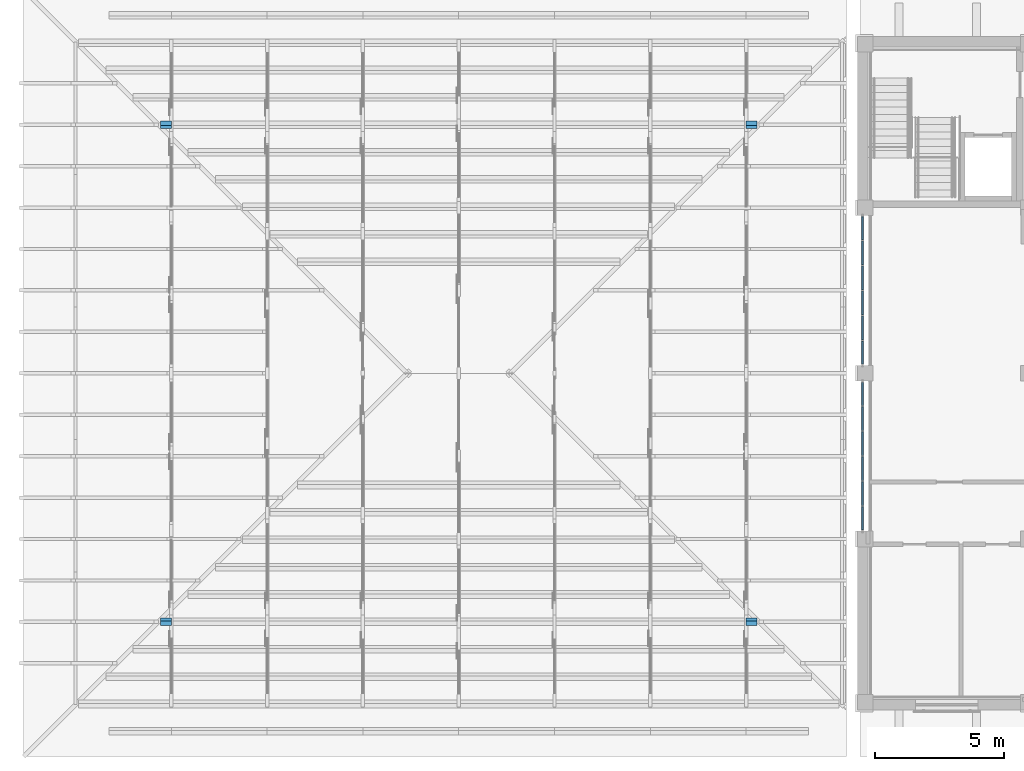
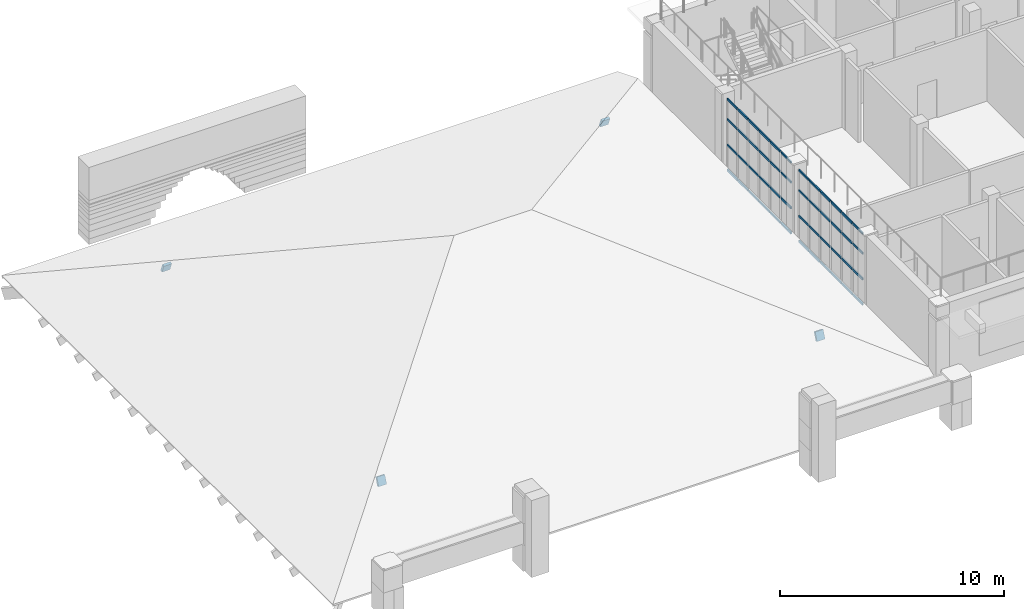
# One storey, part 16 of 68: 52 members, 2 elements without a shape of their own.
"""IFC4 building model written with IfcOpenShell, lengths in metres."""

from ifc_helpers import new_model, si_unit, direction, frame, origin, origin_2d, place, context, subcontext, project, spatial, rectangle, extrude, material, layer, layer_set, material_profile, profile_set, type_object, element, aggregate, save


model = new_model("IFC4")

# Units and contexts
model_context = context("Model", 3, precision=1e-05, world=origin(), true_north=direction((0.0, 1.0)))
body_context = subcontext(model_context, "Body", "Model", "MODEL_VIEW")
ifc_project = project(units=[si_unit("LENGTHUNIT", "METRE"), si_unit("AREAUNIT", "SQUARE_METRE"), si_unit("VOLUMEUNIT", "CUBIC_METRE"), si_unit("PLANEANGLEUNIT", "RADIAN"), si_unit("MASSUNIT", "GRAM", prefix="KILO")], contexts=[model_context])

# Site, building, storey
site_placement = place(None, origin())
site = spatial("IfcSite", under=ifc_project, at=site_placement, CompositionType="ELEMENT")
building_placement = place(site_placement, origin())
building = spatial("IfcBuilding", under=site, at=building_placement, Name="Wasatch Bagh Community Centre", CompositionType="ELEMENT")
storey_placement = place(building_placement, frame((0.0, 0.0, 8.39990234375)))
storey = spatial("IfcBuildingStorey", under=building, at=storey_placement, Name="L02", CompositionType="ELEMENT", Elevation=8.39990234375)

# Members
ifc_material_1 = material(Name="Glulam 24F-V4 Douglas fir-larch", Category="wood")
ifc_material_profile_1 = material_profile(ifc_material_1, rectangle(XDim=0.130126953125, YDim=0.457275390625, at=origin_2d()), Name="GL 130x457")
ifc_profile_set_1 = profile_set([ifc_material_profile_1], Name="Glulam 24F-V4 Douglas fir-larch")
member_type_1 = type_object("IfcMemberType", Name="DH GL 130x457 purlin", PredefinedType="PURLIN", material=ifc_profile_set_1)
for number, where, z_axis, x_axis, name in (
    (1, (69.485595703125, 9.400146484375, 1.996826171875), (1.0, 0.0, 0.0), (0.0, 0.927183854567, -0.374606593416), "DH.PUR.S06.1"),
    (2, (92.10009765625, 9.400146484375, 1.996826171875), (1.0, 0.0, 0.0), (0.0, 0.927183854567, -0.374606593416), "DH.PUR.S06.8"),
    (3, (69.485595703125, 28.599853515625, 1.996826171875), (1.0, 0.0, 0.0), (0.0, 0.927183854567, 0.374606593416), "DH.PUR.N06.1"),
    (4, (92.10009765625, 28.599853515625, 1.996826171875), (1.0, 0.0, 0.0), (0.0, 0.927183854567, 0.374606593416), "DH.PUR.N06.8"),
):
    element("IfcMember", number, at=place(storey_placement, frame(where, z_axis=z_axis, x_axis=x_axis)), inside=storey, type_object=member_type_1, Name=name, PredefinedType="PURLIN", context=body_context, shape_type="SweptSolid", body=[
        extrude(rectangle(XDim=0.130126953125, YDim=0.457275390625, at=origin_2d()), origin(), (0.0, 0.0, 1.0), 0.414306640625),
    ])

# Curtain wall, members
ifc_material_2 = material(Name="Aluminium alloy 6063-T6", Category="aluminium")
ifc_layer = layer(ifc_material_2, 0.10009765625)
ifc_layer_set = layer_set([ifc_layer], Name="Aluminium alloy 6063-T6")
curtain_wall_type = type_object("IfcCurtainWallType", Name="KW-CW1", PredefinedType="NOTDEFINED", material=ifc_layer_set)
curtain_wall_1_placement = place(storey_placement, origin())
curtain_wall_1 = element("IfcCurtainWall", 5, at=curtain_wall_1_placement, inside=storey, type_object=curtain_wall_type, Name="Curtain wall KW-CW1", PredefinedType="NOTDEFINED")
ifc_material_profile_2 = material_profile(ifc_material_2, rectangle(XDim=0.06005859375, YDim=0.1201171875, at=origin_2d()), Name="AL 60x120")
ifc_profile_set_2 = profile_set([ifc_material_profile_2], Name="Aluminium alloy 6063-T6")
member_type_2 = type_object("IfcMemberType", Name="KW-CW1 transom", PredefinedType="USERDEFINED", material=ifc_profile_set_2)
member_1_placement = place(storey_placement, frame((96.60009765625, 12.9599609375, 0.030029296875), z_axis=(0.0, 1.0, 0.0), x_axis=(-1.0, 0.0, 0.0)))
member_1 = element("IfcMember", 6, at=member_1_placement, type_object=member_type_2, Name="KW-CW1 transom 1.1", ObjectType="TRANSOM", PredefinedType="USERDEFINED", context=body_context, shape_type="SweptSolid", body=[
    extrude(rectangle(XDim=0.06005859375, YDim=0.1201171875, at=origin_2d()), origin(), (0.0, 0.0, 1.0), 0.876708984375),
])
member_2_placement = place(storey_placement, frame((96.60009765625, 12.9599609375, 1.400146484375), z_axis=(0.0, 1.0, 0.0), x_axis=(-1.0, 0.0, 0.0)))
member_2 = element("IfcMember", 7, at=member_2_placement, type_object=member_type_2, Name="KW-CW1 transom 1.2", ObjectType="TRANSOM", PredefinedType="USERDEFINED", context=body_context, shape_type="SweptSolid", body=[
    extrude(rectangle(XDim=0.06005859375, YDim=0.1201171875, at=origin_2d()), origin(), (0.0, 0.0, 1.0), 0.876708984375),
])
member_3_placement = place(storey_placement, frame((96.60009765625, 12.9599609375, 2.800048828125), z_axis=(0.0, 1.0, 0.0), x_axis=(-1.0, 0.0, 0.0)))
member_3 = element("IfcMember", 8, at=member_3_placement, type_object=member_type_2, Name="KW-CW1 transom 1.3", ObjectType="TRANSOM", PredefinedType="USERDEFINED", context=body_context, shape_type="SweptSolid", body=[
    extrude(rectangle(XDim=0.06005859375, YDim=0.1201171875, at=origin_2d()), origin(), (0.0, 0.0, 1.0), 0.876708984375),
])
member_4_placement = place(storey_placement, frame((96.60009765625, 12.9599609375, 3.89013671875), z_axis=(0.0, 1.0, 0.0), x_axis=(-1.0, 0.0, 0.0)))
member_4 = element("IfcMember", 9, at=member_4_placement, type_object=member_type_2, Name="KW-CW1 transom 1.4", ObjectType="TRANSOM", PredefinedType="USERDEFINED", context=body_context, shape_type="SweptSolid", body=[
    extrude(rectangle(XDim=0.06005859375, YDim=0.1201171875, at=origin_2d()), origin(), (0.0, 0.0, 1.0), 0.876708984375),
])
member_5_placement = place(storey_placement, frame((96.60009765625, 13.896728515625, 0.030029296875), z_axis=(0.0, 1.0, 0.0), x_axis=(-1.0, 0.0, 0.0)))
member_5 = element("IfcMember", 10, at=member_5_placement, type_object=member_type_2, Name="KW-CW1 transom 2.1", ObjectType="TRANSOM", PredefinedType="USERDEFINED", context=body_context, shape_type="SweptSolid", body=[
    extrude(rectangle(XDim=0.06005859375, YDim=0.1201171875, at=origin_2d()), origin(), (0.0, 0.0, 1.0), 0.906494140625),
])
member_6_placement = place(storey_placement, frame((96.60009765625, 13.896728515625, 1.400146484375), z_axis=(0.0, 1.0, 0.0), x_axis=(-1.0, 0.0, 0.0)))
member_6 = element("IfcMember", 11, at=member_6_placement, type_object=member_type_2, Name="KW-CW1 transom 2.2", ObjectType="TRANSOM", PredefinedType="USERDEFINED", context=body_context, shape_type="SweptSolid", body=[
    extrude(rectangle(XDim=0.06005859375, YDim=0.1201171875, at=origin_2d()), origin(), (0.0, 0.0, 1.0), 0.906494140625),
])
member_7_placement = place(storey_placement, frame((96.60009765625, 13.896728515625, 2.800048828125), z_axis=(0.0, 1.0, 0.0), x_axis=(-1.0, 0.0, 0.0)))
member_7 = element("IfcMember", 12, at=member_7_placement, type_object=member_type_2, Name="KW-CW1 transom 2.3", ObjectType="TRANSOM", PredefinedType="USERDEFINED", context=body_context, shape_type="SweptSolid", body=[
    extrude(rectangle(XDim=0.06005859375, YDim=0.1201171875, at=origin_2d()), origin(), (0.0, 0.0, 1.0), 0.906494140625),
])
member_8_placement = place(storey_placement, frame((96.60009765625, 13.896728515625, 3.89013671875), z_axis=(0.0, 1.0, 0.0), x_axis=(-1.0, 0.0, 0.0)))
member_8 = element("IfcMember", 13, at=member_8_placement, type_object=member_type_2, Name="KW-CW1 transom 2.4", ObjectType="TRANSOM", PredefinedType="USERDEFINED", context=body_context, shape_type="SweptSolid", body=[
    extrude(rectangle(XDim=0.06005859375, YDim=0.1201171875, at=origin_2d()), origin(), (0.0, 0.0, 1.0), 0.906494140625),
])
member_9_placement = place(storey_placement, frame((96.60009765625, 14.86328125, 0.030029296875), z_axis=(0.0, 1.0, 0.0), x_axis=(-1.0, 0.0, 0.0)))
member_9 = element("IfcMember", 14, at=member_9_placement, type_object=member_type_2, Name="KW-CW1 transom 3.1", ObjectType="TRANSOM", PredefinedType="USERDEFINED", context=body_context, shape_type="SweptSolid", body=[
    extrude(rectangle(XDim=0.06005859375, YDim=0.1201171875, at=origin_2d()), origin(), (0.0, 0.0, 1.0), 0.90673828125),
])
member_10_placement = place(storey_placement, frame((96.60009765625, 14.86328125, 1.400146484375), z_axis=(0.0, 1.0, 0.0), x_axis=(-1.0, 0.0, 0.0)))
member_10 = element("IfcMember", 15, at=member_10_placement, type_object=member_type_2, Name="KW-CW1 transom 3.2", ObjectType="TRANSOM", PredefinedType="USERDEFINED", context=body_context, shape_type="SweptSolid", body=[
    extrude(rectangle(XDim=0.06005859375, YDim=0.1201171875, at=origin_2d()), origin(), (0.0, 0.0, 1.0), 0.90673828125),
])
member_11_placement = place(storey_placement, frame((96.60009765625, 14.86328125, 2.800048828125), z_axis=(0.0, 1.0, 0.0), x_axis=(-1.0, 0.0, 0.0)))
member_11 = element("IfcMember", 16, at=member_11_placement, type_object=member_type_2, Name="KW-CW1 transom 3.3", ObjectType="TRANSOM", PredefinedType="USERDEFINED", context=body_context, shape_type="SweptSolid", body=[
    extrude(rectangle(XDim=0.06005859375, YDim=0.1201171875, at=origin_2d()), origin(), (0.0, 0.0, 1.0), 0.90673828125),
])
member_12_placement = place(storey_placement, frame((96.60009765625, 14.86328125, 3.89013671875), z_axis=(0.0, 1.0, 0.0), x_axis=(-1.0, 0.0, 0.0)))
member_12 = element("IfcMember", 17, at=member_12_placement, type_object=member_type_2, Name="KW-CW1 transom 3.4", ObjectType="TRANSOM", PredefinedType="USERDEFINED", context=body_context, shape_type="SweptSolid", body=[
    extrude(rectangle(XDim=0.06005859375, YDim=0.1201171875, at=origin_2d()), origin(), (0.0, 0.0, 1.0), 0.90673828125),
])
member_13_placement = place(storey_placement, frame((96.60009765625, 15.830078125, 0.030029296875), z_axis=(0.0, 1.0, 0.0), x_axis=(-1.0, 0.0, 0.0)))
member_13 = element("IfcMember", 18, at=member_13_placement, type_object=member_type_2, Name="KW-CW1 transom 4.1", ObjectType="TRANSOM", PredefinedType="USERDEFINED", context=body_context, shape_type="SweptSolid", body=[
    extrude(rectangle(XDim=0.06005859375, YDim=0.1201171875, at=origin_2d()), origin(), (0.0, 0.0, 1.0), 0.906494140625),
])
member_14_placement = place(storey_placement, frame((96.60009765625, 15.830078125, 1.400146484375), z_axis=(0.0, 1.0, 0.0), x_axis=(-1.0, 0.0, 0.0)))
member_14 = element("IfcMember", 19, at=member_14_placement, type_object=member_type_2, Name="KW-CW1 transom 4.2", ObjectType="TRANSOM", PredefinedType="USERDEFINED", context=body_context, shape_type="SweptSolid", body=[
    extrude(rectangle(XDim=0.06005859375, YDim=0.1201171875, at=origin_2d()), origin(), (0.0, 0.0, 1.0), 0.906494140625),
])
member_15_placement = place(storey_placement, frame((96.60009765625, 15.830078125, 2.800048828125), z_axis=(0.0, 1.0, 0.0), x_axis=(-1.0, 0.0, 0.0)))
member_15 = element("IfcMember", 20, at=member_15_placement, type_object=member_type_2, Name="KW-CW1 transom 4.3", ObjectType="TRANSOM", PredefinedType="USERDEFINED", context=body_context, shape_type="SweptSolid", body=[
    extrude(rectangle(XDim=0.06005859375, YDim=0.1201171875, at=origin_2d()), origin(), (0.0, 0.0, 1.0), 0.906494140625),
])
member_16_placement = place(storey_placement, frame((96.60009765625, 15.830078125, 3.89013671875), z_axis=(0.0, 1.0, 0.0), x_axis=(-1.0, 0.0, 0.0)))
member_16 = element("IfcMember", 21, at=member_16_placement, type_object=member_type_2, Name="KW-CW1 transom 4.4", ObjectType="TRANSOM", PredefinedType="USERDEFINED", context=body_context, shape_type="SweptSolid", body=[
    extrude(rectangle(XDim=0.06005859375, YDim=0.1201171875, at=origin_2d()), origin(), (0.0, 0.0, 1.0), 0.906494140625),
])
member_17_placement = place(storey_placement, frame((96.60009765625, 16.796630859375, 0.030029296875), z_axis=(0.0, 1.0, 0.0), x_axis=(-1.0, 0.0, 0.0)))
member_17 = element("IfcMember", 22, at=member_17_placement, type_object=member_type_2, Name="KW-CW1 transom 5.1", ObjectType="TRANSOM", PredefinedType="USERDEFINED", context=body_context, shape_type="SweptSolid", body=[
    extrude(rectangle(XDim=0.06005859375, YDim=0.1201171875, at=origin_2d()), origin(), (0.0, 0.0, 1.0), 0.90673828125),
])
member_18_placement = place(storey_placement, frame((96.60009765625, 16.796630859375, 1.400146484375), z_axis=(0.0, 1.0, 0.0), x_axis=(-1.0, 0.0, 0.0)))
member_18 = element("IfcMember", 23, at=member_18_placement, type_object=member_type_2, Name="KW-CW1 transom 5.2", ObjectType="TRANSOM", PredefinedType="USERDEFINED", context=body_context, shape_type="SweptSolid", body=[
    extrude(rectangle(XDim=0.06005859375, YDim=0.1201171875, at=origin_2d()), origin(), (0.0, 0.0, 1.0), 0.90673828125),
])
member_19_placement = place(storey_placement, frame((96.60009765625, 16.796630859375, 2.800048828125), z_axis=(0.0, 1.0, 0.0), x_axis=(-1.0, 0.0, 0.0)))
member_19 = element("IfcMember", 24, at=member_19_placement, type_object=member_type_2, Name="KW-CW1 transom 5.3", ObjectType="TRANSOM", PredefinedType="USERDEFINED", context=body_context, shape_type="SweptSolid", body=[
    extrude(rectangle(XDim=0.06005859375, YDim=0.1201171875, at=origin_2d()), origin(), (0.0, 0.0, 1.0), 0.90673828125),
])
member_20_placement = place(storey_placement, frame((96.60009765625, 16.796630859375, 3.89013671875), z_axis=(0.0, 1.0, 0.0), x_axis=(-1.0, 0.0, 0.0)))
member_20 = element("IfcMember", 25, at=member_20_placement, type_object=member_type_2, Name="KW-CW1 transom 5.4", ObjectType="TRANSOM", PredefinedType="USERDEFINED", context=body_context, shape_type="SweptSolid", body=[
    extrude(rectangle(XDim=0.06005859375, YDim=0.1201171875, at=origin_2d()), origin(), (0.0, 0.0, 1.0), 0.90673828125),
])
member_21_placement = place(storey_placement, frame((96.60009765625, 17.763427734375, 0.030029296875), z_axis=(0.0, 1.0, 0.0), x_axis=(-1.0, 0.0, 0.0)))
member_21 = element("IfcMember", 26, at=member_21_placement, type_object=member_type_2, Name="KW-CW1 transom 6.1", ObjectType="TRANSOM", PredefinedType="USERDEFINED", context=body_context, shape_type="SweptSolid", body=[
    extrude(rectangle(XDim=0.06005859375, YDim=0.1201171875, at=origin_2d()), origin(), (0.0, 0.0, 1.0), 0.87646484375),
])
member_22_placement = place(storey_placement, frame((96.60009765625, 17.763427734375, 1.400146484375), z_axis=(0.0, 1.0, 0.0), x_axis=(-1.0, 0.0, 0.0)))
member_22 = element("IfcMember", 27, at=member_22_placement, type_object=member_type_2, Name="KW-CW1 transom 6.2", ObjectType="TRANSOM", PredefinedType="USERDEFINED", context=body_context, shape_type="SweptSolid", body=[
    extrude(rectangle(XDim=0.06005859375, YDim=0.1201171875, at=origin_2d()), origin(), (0.0, 0.0, 1.0), 0.87646484375),
])
member_23_placement = place(storey_placement, frame((96.60009765625, 17.763427734375, 2.800048828125), z_axis=(0.0, 1.0, 0.0), x_axis=(-1.0, 0.0, 0.0)))
member_23 = element("IfcMember", 28, at=member_23_placement, type_object=member_type_2, Name="KW-CW1 transom 6.3", ObjectType="TRANSOM", PredefinedType="USERDEFINED", context=body_context, shape_type="SweptSolid", body=[
    extrude(rectangle(XDim=0.06005859375, YDim=0.1201171875, at=origin_2d()), origin(), (0.0, 0.0, 1.0), 0.87646484375),
])
member_24_placement = place(storey_placement, frame((96.60009765625, 17.763427734375, 3.89013671875), z_axis=(0.0, 1.0, 0.0), x_axis=(-1.0, 0.0, 0.0)))
member_24 = element("IfcMember", 29, at=member_24_placement, type_object=member_type_2, Name="KW-CW1 transom 6.4", ObjectType="TRANSOM", PredefinedType="USERDEFINED", context=body_context, shape_type="SweptSolid", body=[
    extrude(rectangle(XDim=0.06005859375, YDim=0.1201171875, at=origin_2d()), origin(), (0.0, 0.0, 1.0), 0.87646484375),
])
aggregate(curtain_wall_1, [member_1, member_2, member_3, member_4, member_5, member_6, member_7, member_8, member_9, member_10, member_11, member_12, member_13, member_14, member_15, member_16, member_17, member_18, member_19, member_20, member_21, member_22, member_23, member_24])

curtain_wall_2_placement = place(storey_placement, origin())
curtain_wall_2 = element("IfcCurtainWall", 30, at=curtain_wall_2_placement, inside=storey, type_object=curtain_wall_type, Name="Curtain wall KW-CW1", PredefinedType="NOTDEFINED")
member_25_placement = place(storey_placement, frame((96.60009765625, 19.360107421875, 0.030029296875), z_axis=(0.0, 1.0, 0.0), x_axis=(-1.0, 0.0, 0.0)))
member_25 = element("IfcMember", 31, at=member_25_placement, type_object=member_type_2, Name="KW-CW1 transom 1.1", ObjectType="TRANSOM", PredefinedType="USERDEFINED", context=body_context, shape_type="SweptSolid", body=[
    extrude(rectangle(XDim=0.06005859375, YDim=0.1201171875, at=origin_2d()), origin(), (0.0, 0.0, 1.0), 0.87646484375),
])
member_26_placement = place(storey_placement, frame((96.60009765625, 19.360107421875, 1.400146484375), z_axis=(0.0, 1.0, 0.0), x_axis=(-1.0, 0.0, 0.0)))
member_26 = element("IfcMember", 32, at=member_26_placement, type_object=member_type_2, Name="KW-CW1 transom 1.2", ObjectType="TRANSOM", PredefinedType="USERDEFINED", context=body_context, shape_type="SweptSolid", body=[
    extrude(rectangle(XDim=0.06005859375, YDim=0.1201171875, at=origin_2d()), origin(), (0.0, 0.0, 1.0), 0.87646484375),
])
member_27_placement = place(storey_placement, frame((96.60009765625, 19.360107421875, 2.800048828125), z_axis=(0.0, 1.0, 0.0), x_axis=(-1.0, 0.0, 0.0)))
member_27 = element("IfcMember", 33, at=member_27_placement, type_object=member_type_2, Name="KW-CW1 transom 1.3", ObjectType="TRANSOM", PredefinedType="USERDEFINED", context=body_context, shape_type="SweptSolid", body=[
    extrude(rectangle(XDim=0.06005859375, YDim=0.1201171875, at=origin_2d()), origin(), (0.0, 0.0, 1.0), 0.87646484375),
])
member_28_placement = place(storey_placement, frame((96.60009765625, 19.360107421875, 3.89013671875), z_axis=(0.0, 1.0, 0.0), x_axis=(-1.0, 0.0, 0.0)))
member_28 = element("IfcMember", 34, at=member_28_placement, type_object=member_type_2, Name="KW-CW1 transom 1.4", ObjectType="TRANSOM", PredefinedType="USERDEFINED", context=body_context, shape_type="SweptSolid", body=[
    extrude(rectangle(XDim=0.06005859375, YDim=0.1201171875, at=origin_2d()), origin(), (0.0, 0.0, 1.0), 0.87646484375),
])
member_29_placement = place(storey_placement, frame((96.60009765625, 20.296630859375, 0.030029296875), z_axis=(0.0, 1.0, 0.0), x_axis=(-1.0, 0.0, 0.0)))
member_29 = element("IfcMember", 35, at=member_29_placement, type_object=member_type_2, Name="KW-CW1 transom 2.1", ObjectType="TRANSOM", PredefinedType="USERDEFINED", context=body_context, shape_type="SweptSolid", body=[
    extrude(rectangle(XDim=0.06005859375, YDim=0.1201171875, at=origin_2d()), origin(), (0.0, 0.0, 1.0), 0.90673828125),
])
member_30_placement = place(storey_placement, frame((96.60009765625, 20.296630859375, 1.400146484375), z_axis=(0.0, 1.0, 0.0), x_axis=(-1.0, 0.0, 0.0)))
member_30 = element("IfcMember", 36, at=member_30_placement, type_object=member_type_2, Name="KW-CW1 transom 2.2", ObjectType="TRANSOM", PredefinedType="USERDEFINED", context=body_context, shape_type="SweptSolid", body=[
    extrude(rectangle(XDim=0.06005859375, YDim=0.1201171875, at=origin_2d()), origin(), (0.0, 0.0, 1.0), 0.90673828125),
])
member_31_placement = place(storey_placement, frame((96.60009765625, 20.296630859375, 2.800048828125), z_axis=(0.0, 1.0, 0.0), x_axis=(-1.0, 0.0, 0.0)))
member_31 = element("IfcMember", 37, at=member_31_placement, type_object=member_type_2, Name="KW-CW1 transom 2.3", ObjectType="TRANSOM", PredefinedType="USERDEFINED", context=body_context, shape_type="SweptSolid", body=[
    extrude(rectangle(XDim=0.06005859375, YDim=0.1201171875, at=origin_2d()), origin(), (0.0, 0.0, 1.0), 0.90673828125),
])
member_32_placement = place(storey_placement, frame((96.60009765625, 20.296630859375, 3.89013671875), z_axis=(0.0, 1.0, 0.0), x_axis=(-1.0, 0.0, 0.0)))
member_32 = element("IfcMember", 38, at=member_32_placement, type_object=member_type_2, Name="KW-CW1 transom 2.4", ObjectType="TRANSOM", PredefinedType="USERDEFINED", context=body_context, shape_type="SweptSolid", body=[
    extrude(rectangle(XDim=0.06005859375, YDim=0.1201171875, at=origin_2d()), origin(), (0.0, 0.0, 1.0), 0.90673828125),
])
member_33_placement = place(storey_placement, frame((96.60009765625, 21.263427734375, 0.030029296875), z_axis=(0.0, 1.0, 0.0), x_axis=(-1.0, 0.0, 0.0)))
member_33 = element("IfcMember", 39, at=member_33_placement, type_object=member_type_2, Name="KW-CW1 transom 3.1", ObjectType="TRANSOM", PredefinedType="USERDEFINED", context=body_context, shape_type="SweptSolid", body=[
    extrude(rectangle(XDim=0.06005859375, YDim=0.1201171875, at=origin_2d()), origin(), (0.0, 0.0, 1.0), 0.906494140625),
])
member_34_placement = place(storey_placement, frame((96.60009765625, 21.263427734375, 1.400146484375), z_axis=(0.0, 1.0, 0.0), x_axis=(-1.0, 0.0, 0.0)))
member_34 = element("IfcMember", 40, at=member_34_placement, type_object=member_type_2, Name="KW-CW1 transom 3.2", ObjectType="TRANSOM", PredefinedType="USERDEFINED", context=body_context, shape_type="SweptSolid", body=[
    extrude(rectangle(XDim=0.06005859375, YDim=0.1201171875, at=origin_2d()), origin(), (0.0, 0.0, 1.0), 0.906494140625),
])
member_35_placement = place(storey_placement, frame((96.60009765625, 21.263427734375, 2.800048828125), z_axis=(0.0, 1.0, 0.0), x_axis=(-1.0, 0.0, 0.0)))
member_35 = element("IfcMember", 41, at=member_35_placement, type_object=member_type_2, Name="KW-CW1 transom 3.3", ObjectType="TRANSOM", PredefinedType="USERDEFINED", context=body_context, shape_type="SweptSolid", body=[
    extrude(rectangle(XDim=0.06005859375, YDim=0.1201171875, at=origin_2d()), origin(), (0.0, 0.0, 1.0), 0.906494140625),
])
member_36_placement = place(storey_placement, frame((96.60009765625, 21.263427734375, 3.89013671875), z_axis=(0.0, 1.0, 0.0), x_axis=(-1.0, 0.0, 0.0)))
member_36 = element("IfcMember", 42, at=member_36_placement, type_object=member_type_2, Name="KW-CW1 transom 3.4", ObjectType="TRANSOM", PredefinedType="USERDEFINED", context=body_context, shape_type="SweptSolid", body=[
    extrude(rectangle(XDim=0.06005859375, YDim=0.1201171875, at=origin_2d()), origin(), (0.0, 0.0, 1.0), 0.906494140625),
])
member_37_placement = place(storey_placement, frame((96.60009765625, 22.22998046875, 0.030029296875), z_axis=(0.0, 1.0, 0.0), x_axis=(-1.0, 0.0, 0.0)))
member_37 = element("IfcMember", 43, at=member_37_placement, type_object=member_type_2, Name="KW-CW1 transom 4.1", ObjectType="TRANSOM", PredefinedType="USERDEFINED", context=body_context, shape_type="SweptSolid", body=[
    extrude(rectangle(XDim=0.06005859375, YDim=0.1201171875, at=origin_2d()), origin(), (0.0, 0.0, 1.0), 0.90673828125),
])
member_38_placement = place(storey_placement, frame((96.60009765625, 22.22998046875, 1.400146484375), z_axis=(0.0, 1.0, 0.0), x_axis=(-1.0, 0.0, 0.0)))
member_38 = element("IfcMember", 44, at=member_38_placement, type_object=member_type_2, Name="KW-CW1 transom 4.2", ObjectType="TRANSOM", PredefinedType="USERDEFINED", context=body_context, shape_type="SweptSolid", body=[
    extrude(rectangle(XDim=0.06005859375, YDim=0.1201171875, at=origin_2d()), origin(), (0.0, 0.0, 1.0), 0.90673828125),
])
member_39_placement = place(storey_placement, frame((96.60009765625, 22.22998046875, 2.800048828125), z_axis=(0.0, 1.0, 0.0), x_axis=(-1.0, 0.0, 0.0)))
member_39 = element("IfcMember", 45, at=member_39_placement, type_object=member_type_2, Name="KW-CW1 transom 4.3", ObjectType="TRANSOM", PredefinedType="USERDEFINED", context=body_context, shape_type="SweptSolid", body=[
    extrude(rectangle(XDim=0.06005859375, YDim=0.1201171875, at=origin_2d()), origin(), (0.0, 0.0, 1.0), 0.90673828125),
])
member_40_placement = place(storey_placement, frame((96.60009765625, 22.22998046875, 3.89013671875), z_axis=(0.0, 1.0, 0.0), x_axis=(-1.0, 0.0, 0.0)))
member_40 = element("IfcMember", 46, at=member_40_placement, type_object=member_type_2, Name="KW-CW1 transom 4.4", ObjectType="TRANSOM", PredefinedType="USERDEFINED", context=body_context, shape_type="SweptSolid", body=[
    extrude(rectangle(XDim=0.06005859375, YDim=0.1201171875, at=origin_2d()), origin(), (0.0, 0.0, 1.0), 0.90673828125),
])
member_41_placement = place(storey_placement, frame((96.60009765625, 23.19677734375, 0.030029296875), z_axis=(0.0, 1.0, 0.0), x_axis=(-1.0, 0.0, 0.0)))
member_41 = element("IfcMember", 47, at=member_41_placement, type_object=member_type_2, Name="KW-CW1 transom 5.1", ObjectType="TRANSOM", PredefinedType="USERDEFINED", context=body_context, shape_type="SweptSolid", body=[
    extrude(rectangle(XDim=0.06005859375, YDim=0.1201171875, at=origin_2d()), origin(), (0.0, 0.0, 1.0), 0.906494140625),
])
member_42_placement = place(storey_placement, frame((96.60009765625, 23.19677734375, 1.400146484375), z_axis=(0.0, 1.0, 0.0), x_axis=(-1.0, 0.0, 0.0)))
member_42 = element("IfcMember", 48, at=member_42_placement, type_object=member_type_2, Name="KW-CW1 transom 5.2", ObjectType="TRANSOM", PredefinedType="USERDEFINED", context=body_context, shape_type="SweptSolid", body=[
    extrude(rectangle(XDim=0.06005859375, YDim=0.1201171875, at=origin_2d()), origin(), (0.0, 0.0, 1.0), 0.906494140625),
])
member_43_placement = place(storey_placement, frame((96.60009765625, 23.19677734375, 2.800048828125), z_axis=(0.0, 1.0, 0.0), x_axis=(-1.0, 0.0, 0.0)))
member_43 = element("IfcMember", 49, at=member_43_placement, type_object=member_type_2, Name="KW-CW1 transom 5.3", ObjectType="TRANSOM", PredefinedType="USERDEFINED", context=body_context, shape_type="SweptSolid", body=[
    extrude(rectangle(XDim=0.06005859375, YDim=0.1201171875, at=origin_2d()), origin(), (0.0, 0.0, 1.0), 0.906494140625),
])
member_44_placement = place(storey_placement, frame((96.60009765625, 23.19677734375, 3.89013671875), z_axis=(0.0, 1.0, 0.0), x_axis=(-1.0, 0.0, 0.0)))
member_44 = element("IfcMember", 50, at=member_44_placement, type_object=member_type_2, Name="KW-CW1 transom 5.4", ObjectType="TRANSOM", PredefinedType="USERDEFINED", context=body_context, shape_type="SweptSolid", body=[
    extrude(rectangle(XDim=0.06005859375, YDim=0.1201171875, at=origin_2d()), origin(), (0.0, 0.0, 1.0), 0.906494140625),
])
member_45_placement = place(storey_placement, frame((96.60009765625, 24.163330078125, 0.030029296875), z_axis=(0.0, 1.0, 0.0), x_axis=(-1.0, 0.0, 0.0)))
member_45 = element("IfcMember", 51, at=member_45_placement, type_object=member_type_2, Name="KW-CW1 transom 6.1", ObjectType="TRANSOM", PredefinedType="USERDEFINED", context=body_context, shape_type="SweptSolid", body=[
    extrude(rectangle(XDim=0.06005859375, YDim=0.1201171875, at=origin_2d()), origin(), (0.0, 0.0, 1.0), 0.876708984375),
])
member_46_placement = place(storey_placement, frame((96.60009765625, 24.163330078125, 1.400146484375), z_axis=(0.0, 1.0, 0.0), x_axis=(-1.0, 0.0, 0.0)))
member_46 = element("IfcMember", 52, at=member_46_placement, type_object=member_type_2, Name="KW-CW1 transom 6.2", ObjectType="TRANSOM", PredefinedType="USERDEFINED", context=body_context, shape_type="SweptSolid", body=[
    extrude(rectangle(XDim=0.06005859375, YDim=0.1201171875, at=origin_2d()), origin(), (0.0, 0.0, 1.0), 0.876708984375),
])
member_47_placement = place(storey_placement, frame((96.60009765625, 24.163330078125, 2.800048828125), z_axis=(0.0, 1.0, 0.0), x_axis=(-1.0, 0.0, 0.0)))
member_47 = element("IfcMember", 53, at=member_47_placement, type_object=member_type_2, Name="KW-CW1 transom 6.3", ObjectType="TRANSOM", PredefinedType="USERDEFINED", context=body_context, shape_type="SweptSolid", body=[
    extrude(rectangle(XDim=0.06005859375, YDim=0.1201171875, at=origin_2d()), origin(), (0.0, 0.0, 1.0), 0.876708984375),
])
member_48_placement = place(storey_placement, frame((96.60009765625, 24.163330078125, 3.89013671875), z_axis=(0.0, 1.0, 0.0), x_axis=(-1.0, 0.0, 0.0)))
member_48 = element("IfcMember", 54, at=member_48_placement, type_object=member_type_2, Name="KW-CW1 transom 6.4", ObjectType="TRANSOM", PredefinedType="USERDEFINED", context=body_context, shape_type="SweptSolid", body=[
    extrude(rectangle(XDim=0.06005859375, YDim=0.1201171875, at=origin_2d()), origin(), (0.0, 0.0, 1.0), 0.876708984375),
])
aggregate(curtain_wall_2, [member_25, member_26, member_27, member_28, member_29, member_30, member_31, member_32, member_33, member_34, member_35, member_36, member_37, member_38, member_39, member_40, member_41, member_42, member_43, member_44, member_45, member_46, member_47, member_48])

save(model, "model.ifc")
